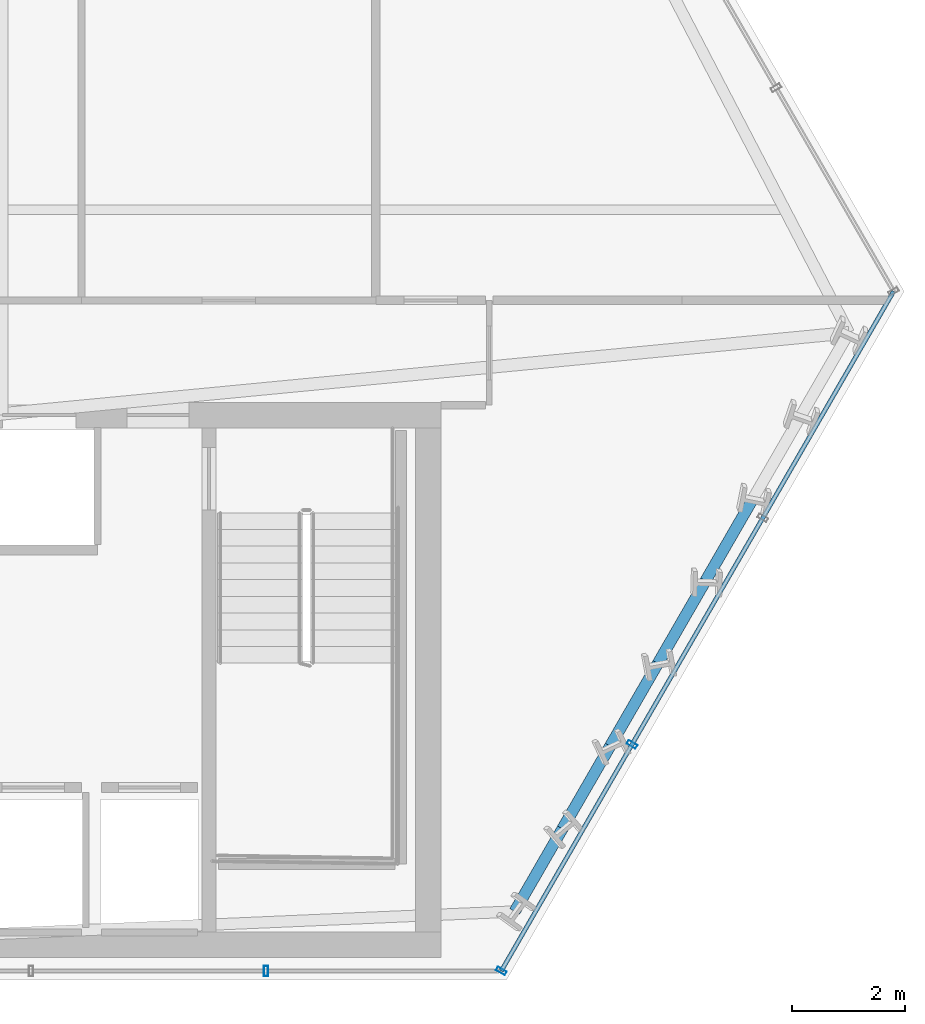
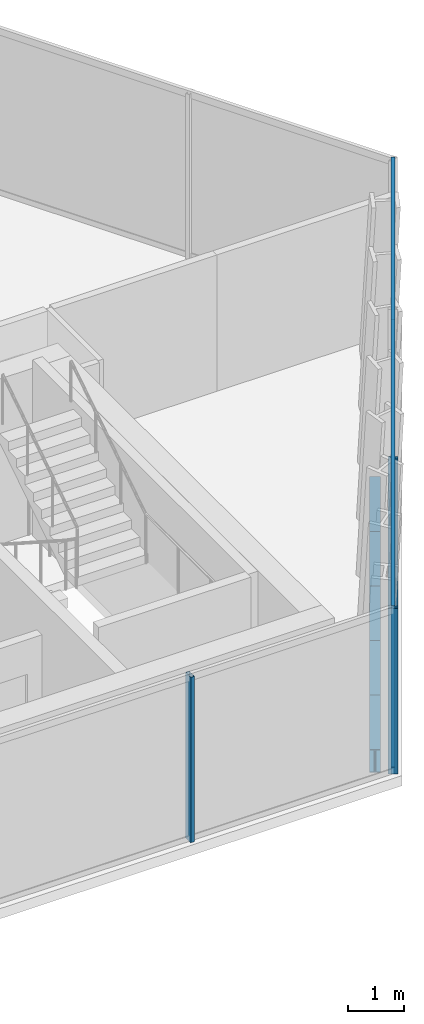
# One storey, part 17 of 32: 5 beams, 5 members, 2 elements without a shape of their own.
"""IFC4 building model written with IfcOpenShell, lengths in metres."""

from ifc_helpers import new_model, si_unit, direction, frame, origin, origin_2d, place, context, subcontext, project, spatial, hollow_rectangle, i_section, extrude, material, layer, layer_set, material_profile, profile_set, type_object, element, aggregate, save


model = new_model("IFC4")

# Units and contexts
model_context = context("Model", 3, precision=1e-05, world=origin(), true_north=direction((0.0, 1.0)))
body_context = subcontext(model_context, "Body", "Model", "MODEL_VIEW")
ifc_project = project(units=[si_unit("LENGTHUNIT", "METRE"), si_unit("AREAUNIT", "SQUARE_METRE"), si_unit("VOLUMEUNIT", "CUBIC_METRE"), si_unit("PLANEANGLEUNIT", "RADIAN"), si_unit("MASSUNIT", "GRAM", prefix="KILO")], contexts=[model_context])

# Site, building, storey
site_placement = place(None, origin())
site = spatial("IfcSite", under=ifc_project, at=site_placement, CompositionType="ELEMENT")
building_placement = place(site_placement, origin())
building = spatial("IfcBuilding", under=site, at=building_placement, Name="Ndaravel Arena Tower", CompositionType="ELEMENT")
storey_placement = place(building_placement, frame((0.0, 0.0, 96.800048828125)))
storey = spatial("IfcBuildingStorey", under=building, at=storey_placement, Name="L22", CompositionType="ELEMENT", Elevation=96.800048828125)

# Beams
ifc_material_1 = material(Name="Steel S355", Category="steel")
ifc_material_profile_1 = material_profile(ifc_material_1, i_section(OverallWidth=0.199951171875, OverallDepth=0.5, WebThickness=0.01025390625, FlangeThickness=0.01611328125, FilletRadius=0.02099609375, at=origin_2d()), Name="IPE 500")
ifc_profile_set_1 = profile_set([ifc_material_profile_1], Name="Steel S355")
beam_type = type_object("IfcBeamType", Name="BM-SPAN-IPE500", PredefinedType="SPANDREL", material=ifc_profile_set_1)
beam_1_placement = place(storey_placement, frame((58.84912109375, 6.2099609375, -0.469970703125), z_axis=(0.499985669323, 0.866033677446, 0.0), x_axis=(-0.866033677446, 0.499985669323, 0.0)))
element("IfcBeam", 1, at=beam_1_placement, inside=storey, type_object=beam_type, Name="L22 Perimeter Spandrel Beam SP-02", PredefinedType="SPANDREL", context=body_context, shape_type="SweptSolid", body=[
    extrude(i_section(OverallWidth=0.199951171875, OverallDepth=0.5, WebThickness=0.01025390625, FlangeThickness=0.01611328125, FilletRadius=0.02099609375, at=origin_2d()), origin(), (0.0, 0.0, 1.0), 1.68603515625),
])
beam_2_placement = place(storey_placement, frame((59.692138671875, 7.670166015625, -0.469970703125), z_axis=(0.499939757307, 0.866060182126, 0.0), x_axis=(-0.866060182126, 0.499939757307, 0.0)))
element("IfcBeam", 2, at=beam_2_placement, inside=storey, type_object=beam_type, Name="L22 Perimeter Spandrel Beam SP-03", PredefinedType="SPANDREL", context=body_context, shape_type="SweptSolid", body=[
    extrude(i_section(OverallWidth=0.199951171875, OverallDepth=0.5, WebThickness=0.01025390625, FlangeThickness=0.01611328125, FilletRadius=0.02099609375, at=origin_2d()), origin(), (0.0, 0.0, 1.0), 1.685791015625),
])
beam_3_placement = place(storey_placement, frame((60.534912109375, 9.130126953125, -0.469970703125), z_axis=(0.499985669323, 0.866033677446, 0.0), x_axis=(-0.866033677446, 0.499985669323, 0.0)))
element("IfcBeam", 3, at=beam_3_placement, inside=storey, type_object=beam_type, Name="L22 Perimeter Spandrel Beam SP-04", PredefinedType="SPANDREL", context=body_context, shape_type="SweptSolid", body=[
    extrude(i_section(OverallWidth=0.199951171875, OverallDepth=0.5, WebThickness=0.01025390625, FlangeThickness=0.01611328125, FilletRadius=0.02099609375, at=origin_2d()), origin(), (0.0, 0.0, 1.0), 1.68603515625),
])
beam_4_placement = place(storey_placement, frame((61.3779296875, 10.59033203125, -0.469970703125), z_axis=(0.500048373822, 0.865997473344, 0.0), x_axis=(-0.865997473344, 0.500048373822, 0.0)))
element("IfcBeam", 4, at=beam_4_placement, inside=storey, type_object=beam_type, Name="L22 Perimeter Spandrel Beam SP-05", PredefinedType="SPANDREL", context=body_context, shape_type="SweptSolid", body=[
    extrude(i_section(OverallWidth=0.199951171875, OverallDepth=0.5, WebThickness=0.01025390625, FlangeThickness=0.01611328125, FilletRadius=0.02099609375, at=origin_2d()), origin(), (0.0, 0.0, 1.0), 1.685791015625),
])
beam_5_placement = place(storey_placement, frame((62.220947265625, 12.05029296875, -0.469970703125), z_axis=(0.499985669323, 0.866033677446, 0.0), x_axis=(-0.866033677446, 0.499985669323, 0.0)))
element("IfcBeam", 5, at=beam_5_placement, inside=storey, type_object=beam_type, Name="L22 Perimeter Spandrel Beam SP-06", PredefinedType="SPANDREL", context=body_context, shape_type="SweptSolid", body=[
    extrude(i_section(OverallWidth=0.199951171875, OverallDepth=0.5, WebThickness=0.01025390625, FlangeThickness=0.01611328125, FilletRadius=0.02099609375, at=origin_2d()), origin(), (0.0, 0.0, 1.0), 1.68603515625),
])

# Curtain wall, member
ifc_material_2 = material(Name="Aluminium", Category="aluminium")
ifc_layer_1 = layer(ifc_material_2, 0.179931640625)
ifc_layer_set_1 = layer_set([ifc_layer_1], Name="Aluminium")
curtain_wall_type_1 = type_object("IfcCurtainWallType", Name="CW-SYS-03", PredefinedType="NOTDEFINED", material=ifc_layer_set_1)
curtain_wall_1_placement = place(storey_placement, origin())
curtain_wall_1 = element("IfcCurtainWall", 6, at=curtain_wall_1_placement, inside=storey, type_object=curtain_wall_type_1, Name="L22 Faceted Crystal Curtain Wall CW-L22-E01", PredefinedType="NOTDEFINED")
ifc_material_3 = material(Name="Aluminium", Category="aluminium")
ifc_material_profile_2 = material_profile(ifc_material_3, hollow_rectangle(XDim=0.074951171875, YDim=0.179931640625, WallThickness=0.00390625, at=origin_2d()), Name="CW MULLION 75x180x4")
ifc_profile_set_2 = profile_set([ifc_material_profile_2], Name="Aluminium")
member_type_1 = type_object("IfcMemberType", Name="MEM-CW-MUL180", PredefinedType="MULLION", material=ifc_profile_set_2)
member_1_placement = place(storey_placement, frame((54.459228515625, 5.159912109375, 0.0), z_axis=(0.0, 0.0, 1.0), x_axis=(1.0, 0.0, 0.0)))
member_1 = element("IfcMember", 7, at=member_1_placement, type_object=member_type_1, Name="CW-L22-E01 Mullion 07", PredefinedType="MULLION", context=body_context, shape_type="SweptSolid", body=[
    extrude(hollow_rectangle(XDim=0.074951171875, YDim=0.179931640625, WallThickness=0.00390625, at=origin_2d()), origin(), (0.0, 0.0, 1.0), 3.579833984375),
])
aggregate(curtain_wall_1, [member_1])

# Curtain wall, members
ifc_material_4 = material(Name="Aluminium", Category="aluminium")
ifc_layer_2 = layer(ifc_material_4, 0.179931640625)
ifc_layer_set_2 = layer_set([ifc_layer_2], Name="Aluminium")
curtain_wall_type_2 = type_object("IfcCurtainWallType", Name="CW-SYS-01", PredefinedType="NOTDEFINED", material=ifc_layer_set_2)
curtain_wall_2_placement = place(storey_placement, origin())
curtain_wall_2 = element("IfcCurtainWall", 8, at=curtain_wall_2_placement, inside=storey, type_object=curtain_wall_type_2, Name="L22 Faceted Crystal Curtain Wall CW-L22-E02", PredefinedType="NOTDEFINED")
member_2_placement = place(storey_placement, frame((58.6123046875, 5.159912109375, 0.0), z_axis=(0.0, 0.0, 1.0), x_axis=(0.5, 0.866025403784, 0.0)))
member_2 = element("IfcMember", 9, at=member_2_placement, type_object=member_type_1, Name="CW-L22-E02 Mullion 00", PredefinedType="MULLION", context=body_context, shape_type="SweptSolid", body=[
    extrude(hollow_rectangle(XDim=0.074951171875, YDim=0.179931640625, WallThickness=0.00390625, at=origin_2d()), origin(), (0.0, 0.0, 1.0), 3.579833984375),
])
member_3_placement = place(storey_placement, frame((60.921875, 9.16015625, 0.0), z_axis=(0.0, 0.0, 1.0), x_axis=(0.5, 0.866025403784, 0.0)))
member_3 = element("IfcMember", 10, at=member_3_placement, type_object=member_type_1, Name="CW-L22-E02 Mullion 01", PredefinedType="MULLION", context=body_context, shape_type="SweptSolid", body=[
    extrude(hollow_rectangle(XDim=0.074951171875, YDim=0.179931640625, WallThickness=0.00390625, at=origin_2d()), origin(), (0.0, 0.0, 1.0), 3.579833984375),
])
ifc_material_5 = material(Name="Aluminium", Category="aluminium")
ifc_material_profile_3 = material_profile(ifc_material_5, hollow_rectangle(XDim=0.074951171875, YDim=0.14990234375, WallThickness=0.00390625, at=origin_2d()), Name="CW TRANSOM 75x150x4")
ifc_profile_set_3 = profile_set([ifc_material_profile_3], Name="Aluminium")
member_type_2 = type_object("IfcMemberType", Name="MEM-CW-TRN150", PredefinedType="USERDEFINED", material=ifc_profile_set_3)
member_4_placement = place(storey_placement, frame((58.6123046875, 5.159912109375, 0.0400390625), z_axis=(0.500004591975, 0.86602275259, 0.0), x_axis=(-0.86602275259, 0.500004591975, 0.0)))
member_4 = element("IfcMember", 11, at=member_4_placement, type_object=member_type_2, Name="CW-L22-E02 Transom 01", ObjectType="TRANSOM", PredefinedType="USERDEFINED", context=body_context, shape_type="SweptSolid", body=[
    extrude(hollow_rectangle(XDim=0.074951171875, YDim=0.14990234375, WallThickness=0.00390625, at=origin_2d()), origin(), (0.0, 0.0, 1.0), 13.857177734375),
])
member_5_placement = place(storey_placement, frame((58.6123046875, 5.159912109375, 3.5400390625), z_axis=(0.500004591975, 0.86602275259, 0.0), x_axis=(-0.86602275259, 0.500004591975, 0.0)))
member_5 = element("IfcMember", 12, at=member_5_placement, type_object=member_type_2, Name="CW-L22-E02 Transom 02", ObjectType="TRANSOM", PredefinedType="USERDEFINED", context=body_context, shape_type="SweptSolid", body=[
    extrude(hollow_rectangle(XDim=0.074951171875, YDim=0.14990234375, WallThickness=0.00390625, at=origin_2d()), origin(), (0.0, 0.0, 1.0), 13.857177734375),
])
aggregate(curtain_wall_2, [member_2, member_3, member_4, member_5])

save(model, "model.ifc")
